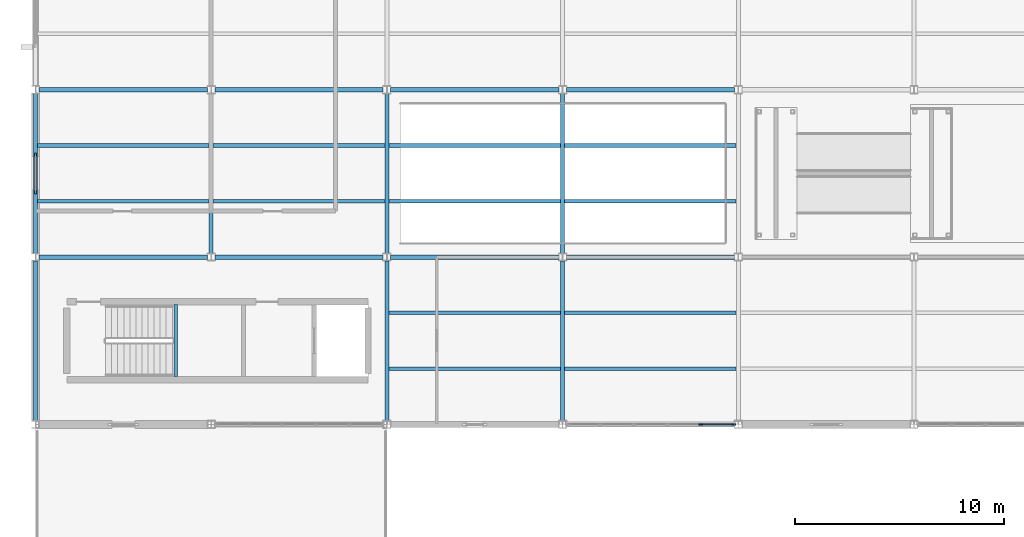
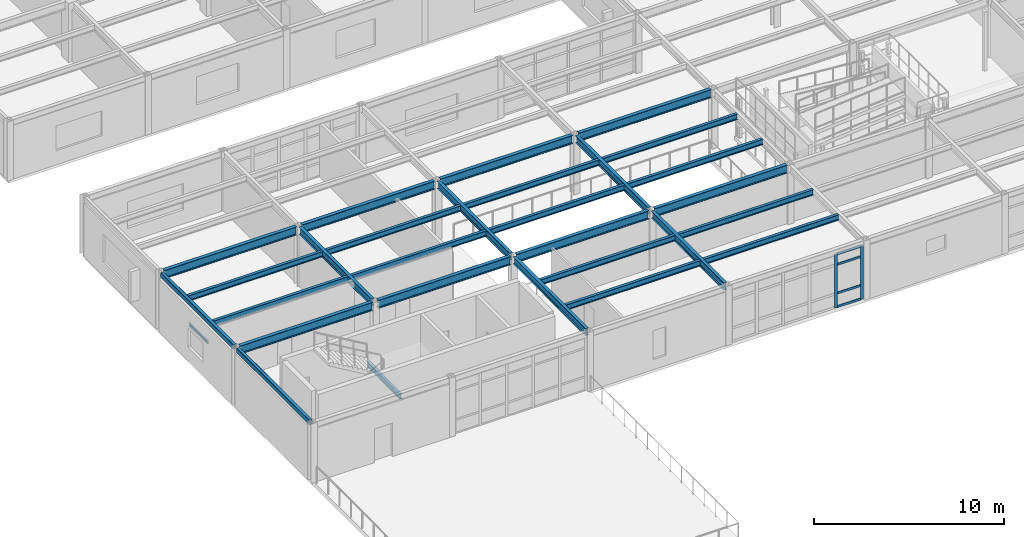
# One storey, part 20 of 138: 29 beams, 6 members, 1 element without a shape of its own.
"""IFC4 building model written with IfcOpenShell, lengths in metres."""

from ifc_helpers import new_model, si_unit, direction, frame, origin, origin_2d, place, context, subcontext, project, spatial, rectangle, hollow_rectangle, i_section, u_section, extrude, material, layer, layer_set, material_profile, profile_set, type_object, element, aggregate, save


model = new_model("IFC4")

# Units and contexts
model_context = context("Model", 3, precision=1e-05, world=origin(), true_north=direction((0.0, 1.0)))
body_context = subcontext(model_context, "Body", "Model", "MODEL_VIEW")
ifc_project = project(units=[si_unit("LENGTHUNIT", "METRE"), si_unit("AREAUNIT", "SQUARE_METRE"), si_unit("VOLUMEUNIT", "CUBIC_METRE"), si_unit("PLANEANGLEUNIT", "RADIAN"), si_unit("MASSUNIT", "GRAM", prefix="KILO")], contexts=[model_context])

# Site, building, storey
site_placement = place(None, origin())
site = spatial("IfcSite", under=ifc_project, at=site_placement, CompositionType="ELEMENT")
building_placement = place(site_placement, origin())
building = spatial("IfcBuilding", under=site, at=building_placement, Name="Kranzveld Transit Interchange", CompositionType="ELEMENT")
storey_placement = place(building_placement, frame((0.0, 0.0, 5.43994140625)))
storey = spatial("IfcBuildingStorey", under=building, at=storey_placement, Name="L01", CompositionType="ELEMENT", Elevation=5.43994140625)

# Beams
ifc_material_1 = material(Name="Steel S355JR", Category="steel")
ifc_material_profile_1 = material_profile(ifc_material_1, i_section(OverallWidth=0.19189453125, OverallDepth=0.46337890625, WebThickness=0.010498046875, FlangeThickness=0.017578125, FilletRadius=0.01025390625, at=origin_2d()), Name="UB 457x191x89")
ifc_profile_set_1 = profile_set([ifc_material_profile_1], Name="Steel S355JR")
beam_type_1 = type_object("IfcBeamType", Name="Beam Steel UB 457x191x89 S355JR", PredefinedType="BEAM", material=ifc_profile_set_1)
for number, where, z_axis, x_axis, name in (
    (1, (8.39990234375, 24.17724609375, 3.568359375), (0.0, 1.0, 0.0), (-1.0, 0.0, 0.0), "L01 Girder 02/D-E"),
    (2, (16.800048828125, 16.17724609375, 3.568359375), (0.0, 1.0, 0.0), (-1.0, 0.0, 0.0), "L01 Girder 03/C-D"),
    (3, (16.800048828125, 24.17724609375, 3.568359375), (0.0, 1.0, 0.0), (-1.0, 0.0, 0.0), "L01 Girder 03/D-E"),
    (4, (25.199951171875, 16.17724609375, 3.568359375), (0.0, 1.0, 0.0), (-1.0, 0.0, 0.0), "L01 Girder 04/C-D"),
    (5, (25.199951171875, 24.17724609375, 3.568359375), (0.0, 1.0, 0.0), (-1.0, 0.0, 0.0), "L01 Girder 04/D-E"),
):
    element("IfcBeam", number, at=place(storey_placement, frame(where, z_axis=z_axis, x_axis=x_axis)), inside=storey, type_object=beam_type_1, Name=name, PredefinedType="BEAM", context=body_context, shape_type="SweptSolid", body=[
        extrude(i_section(OverallWidth=0.19189453125, OverallDepth=0.46337890625, WebThickness=0.010498046875, FlangeThickness=0.017578125, FilletRadius=0.01025390625, at=origin_2d()), origin(), (0.0, 0.0, 1.0), 7.6455078125),
    ])

# Curtain wall, members
ifc_material_2 = material(Name="Bronze-anodised thermally broken aluminium", Category="aluminium")
ifc_layer = layer(ifc_material_2, 0.18505859375)
ifc_layer_set = layer_set([ifc_layer], Name="Bronze-anodised thermally broken aluminium")
curtain_wall_type = type_object("IfcCurtainWallType", Name="Control Crown Observation Facade CW-5", PredefinedType="USERDEFINED", material=ifc_layer_set)
curtain_wall_placement = place(storey_placement, origin())
curtain_wall = element("IfcCurtainWall", 6, at=curtain_wall_placement, inside=storey, type_object=curtain_wall_type, Name="L01 Curtain Wall 04/C-05/C", ObjectType="CURTAIN WALL", PredefinedType="USERDEFINED")
ifc_material_3 = material(Name="Bronze-anodised thermally broken aluminium", Category="aluminium")
ifc_material_profile_2 = material_profile(ifc_material_3, rectangle(XDim=0.06494140625, YDim=0.179931640625, at=origin_2d()), Name="ALU MULLION 65x180")
ifc_profile_set_2 = profile_set([ifc_material_profile_2], Name="Bronze-anodised thermally broken aluminium")
member_type_1 = type_object("IfcMemberType", Name="Curtain Wall Mullion 65x180 Alu", PredefinedType="MULLION", material=ifc_profile_set_2)
member_1_placement = place(storey_placement, frame((31.8076171875, 16.0, 0.0), z_axis=(0.0, 0.0, 1.0), x_axis=(0.0, 1.0, 0.0)))
member_1 = element("IfcMember", 7, at=member_1_placement, type_object=member_type_1, Name="CW-5 mullion 5", PredefinedType="MULLION", context=body_context, shape_type="SweptSolid", body=[
    extrude(rectangle(XDim=0.06494140625, YDim=0.179931640625, at=origin_2d()), origin(), (0.0, 0.0, 1.0), 3.449951171875),
])
member_2_placement = place(storey_placement, frame((33.380126953125, 16.0, 0.0), z_axis=(0.0, 0.0, 1.0), x_axis=(0.0, 1.0, 0.0)))
member_2 = element("IfcMember", 8, at=member_2_placement, type_object=member_type_1, Name="CW-5 mullion 6", PredefinedType="MULLION", context=body_context, shape_type="SweptSolid", body=[
    extrude(rectangle(XDim=0.06494140625, YDim=0.179931640625, at=origin_2d()), origin(), (0.0, 0.0, 1.0), 3.449951171875),
])
ifc_material_4 = material(Name="Bronze-anodised thermally broken aluminium", Category="aluminium")
ifc_material_profile_3 = material_profile(ifc_material_4, rectangle(XDim=0.06494140625, YDim=0.139892578125, at=origin_2d()), Name="ALU TRANSOM 65x140")
ifc_profile_set_3 = profile_set([ifc_material_profile_3], Name="Bronze-anodised thermally broken aluminium")
member_type_2 = type_object("IfcMemberType", Name="Curtain Wall Transom 65x140 Alu", PredefinedType="USERDEFINED", material=ifc_profile_set_3)
member_3_placement = place(storey_placement, frame((31.840087890625, 16.0, 0.032470703125), z_axis=(1.0, 0.0, 0.0), x_axis=(0.0, 1.0, 0.0)))
member_3 = element("IfcMember", 9, at=member_3_placement, type_object=member_type_2, Name="CW-5 transom 5.1", ObjectType="TRANSOM", PredefinedType="USERDEFINED", context=body_context, shape_type="SweptSolid", body=[
    extrude(rectangle(XDim=0.06494140625, YDim=0.139892578125, at=origin_2d()), origin(), (0.0, 0.0, 1.0), 1.507568359375),
])
member_4_placement = place(storey_placement, frame((31.840087890625, 16.0, 0.900146484375), z_axis=(1.0, 0.0, 0.0), x_axis=(0.0, 1.0, 0.0)))
member_4 = element("IfcMember", 10, at=member_4_placement, type_object=member_type_2, Name="CW-5 transom 5.2", ObjectType="TRANSOM", PredefinedType="USERDEFINED", context=body_context, shape_type="SweptSolid", body=[
    extrude(rectangle(XDim=0.06494140625, YDim=0.139892578125, at=origin_2d()), origin(), (0.0, 0.0, 1.0), 1.507568359375),
])
member_5_placement = place(storey_placement, frame((31.840087890625, 16.0, 2.75), z_axis=(1.0, 0.0, 0.0), x_axis=(0.0, 1.0, 0.0)))
member_5 = element("IfcMember", 11, at=member_5_placement, type_object=member_type_2, Name="CW-5 transom 5.3", ObjectType="TRANSOM", PredefinedType="USERDEFINED", context=body_context, shape_type="SweptSolid", body=[
    extrude(rectangle(XDim=0.06494140625, YDim=0.139892578125, at=origin_2d()), origin(), (0.0, 0.0, 1.0), 1.507568359375),
])
member_6_placement = place(storey_placement, frame((31.840087890625, 16.0, 3.41748046875), z_axis=(1.0, 0.0, 0.0), x_axis=(0.0, 1.0, 0.0)))
member_6 = element("IfcMember", 12, at=member_6_placement, type_object=member_type_2, Name="CW-5 transom 5.4", ObjectType="TRANSOM", PredefinedType="USERDEFINED", context=body_context, shape_type="SweptSolid", body=[
    extrude(rectangle(XDim=0.06494140625, YDim=0.139892578125, at=origin_2d()), origin(), (0.0, 0.0, 1.0), 1.507568359375),
])
aggregate(curtain_wall, [member_1, member_2, member_3, member_4, member_5, member_6])

# Beams
ifc_material_5 = material(Name="Steel S355JR", Category="steel")
ifc_material_profile_4 = material_profile(ifc_material_5, hollow_rectangle(XDim=0.199951171875, YDim=0.300048828125, WallThickness=0.010009765625, InnerFilletRadius=0.014892578125, OuterFilletRadius=0.02490234375, at=origin_2d()), Name="RHS 300x200x10")
ifc_profile_set_4 = profile_set([ifc_material_profile_4], Name="Steel S355JR")
beam_type_2 = type_object("IfcBeamType", Name="Edge Spandrel RHS 300x200x10 S355JR", PredefinedType="SPANDREL", material=ifc_profile_set_4)
for number, where, z_axis, x_axis, name in (
    (13, (0.0, 16.17724609375, 3.650146484375), (0.0, 1.0, 0.0), (-1.0, 0.0, 0.0), "L01 Girder 01/C-D"),
    (14, (0.0, 24.17724609375, 3.650146484375), (0.0, 1.0, 0.0), (-1.0, 0.0, 0.0), "L01 Girder 01/D-E"),
):
    element("IfcBeam", number, at=place(storey_placement, frame(where, z_axis=z_axis, x_axis=x_axis)), inside=storey, type_object=beam_type_2, Name=name, PredefinedType="SPANDREL", context=body_context, shape_type="SweptSolid", body=[
        extrude(hollow_rectangle(XDim=0.199951171875, YDim=0.300048828125, WallThickness=0.010009765625, InnerFilletRadius=0.014892578125, OuterFilletRadius=0.02490234375, at=origin_2d()), origin(), (0.0, 0.0, 1.0), 7.6455078125),
    ])
ifc_material_6 = material(Name="Steel S355JR", Category="steel")
ifc_material_profile_5 = material_profile(ifc_material_6, i_section(OverallWidth=0.172119140625, OverallDepth=0.35791015625, WebThickness=0.008056640625, FlangeThickness=0.012939453125, FilletRadius=0.01025390625, at=origin_2d()), Name="UB 356x171x57")
ifc_profile_set_5 = profile_set([ifc_material_profile_5], Name="Steel S355JR")
beam_type_3 = type_object("IfcBeamType", Name="Floor Joist UB 356x171x57 S355JR", PredefinedType="JOIST", material=ifc_profile_set_5)
for number, where, z_axis, x_axis, name in (
    (15, (0.10205078125, 26.666748046875, 3.62109375), (1.0, 0.0, 0.0), (0.0, 1.0, 0.0), "L01 Secondary Joist 01-02/D.1"),
    (16, (0.10205078125, 29.333251953125, 3.62109375), (1.0, 0.0, 0.0), (0.0, 1.0, 0.0), "L01 Secondary Joist 01-02/D.2"),
):
    element("IfcBeam", number, at=place(storey_placement, frame(where, z_axis=z_axis, x_axis=x_axis)), inside=storey, type_object=beam_type_3, Name=name, PredefinedType="JOIST", context=body_context, shape_type="SweptSolid", body=[
        extrude(i_section(OverallWidth=0.172119140625, OverallDepth=0.35791015625, WebThickness=0.008056640625, FlangeThickness=0.012939453125, FilletRadius=0.01025390625, at=origin_2d()), origin(), (0.0, 0.0, 1.0), 8.199951171875),
    ])
for number, where, z_axis, x_axis, name in (
    (17, (8.498046875, 26.666748046875, 3.62109375), (1.0, 0.0, 0.0), (0.0, 1.0, 0.0), "L01 Secondary Joist 02-03/D.1"),
    (18, (8.498046875, 29.333251953125, 3.62109375), (1.0, 0.0, 0.0), (0.0, 1.0, 0.0), "L01 Secondary Joist 02-03/D.2"),
    (19, (16.89794921875, 18.666748046875, 3.62109375), (1.0, 0.0, 0.0), (0.0, 1.0, 0.0), "L01 Secondary Joist 03-04/C.1"),
    (20, (16.89794921875, 21.333251953125, 3.62109375), (1.0, 0.0, 0.0), (0.0, 1.0, 0.0), "L01 Secondary Joist 03-04/C.2"),
    (21, (16.89794921875, 26.666748046875, 3.62109375), (1.0, 0.0, 0.0), (0.0, 1.0, 0.0), "L01 Secondary Joist 03-04/D.1"),
    (22, (16.89794921875, 29.333251953125, 3.62109375), (1.0, 0.0, 0.0), (0.0, 1.0, 0.0), "L01 Secondary Joist 03-04/D.2"),
    (23, (25.2978515625, 18.666748046875, 3.62109375), (1.0, 0.0, 0.0), (0.0, 1.0, 0.0), "L01 Secondary Joist 04-05/C.1"),
    (24, (25.2978515625, 21.333251953125, 3.62109375), (1.0, 0.0, 0.0), (0.0, 1.0, 0.0), "L01 Secondary Joist 04-05/C.2"),
    (25, (25.2978515625, 26.666748046875, 3.62109375), (1.0, 0.0, 0.0), (0.0, 1.0, 0.0), "L01 Secondary Joist 04-05/D.1"),
    (26, (25.2978515625, 29.333251953125, 3.62109375), (1.0, 0.0, 0.0), (0.0, 1.0, 0.0), "L01 Secondary Joist 04-05/D.2"),
):
    element("IfcBeam", number, at=place(storey_placement, frame(where, z_axis=z_axis, x_axis=x_axis)), inside=storey, type_object=beam_type_3, Name=name, PredefinedType="JOIST", context=body_context, shape_type="SweptSolid", body=[
        extrude(i_section(OverallWidth=0.172119140625, OverallDepth=0.35791015625, WebThickness=0.008056640625, FlangeThickness=0.012939453125, FilletRadius=0.01025390625, at=origin_2d()), origin(), (0.0, 0.0, 1.0), 8.2041015625),
    ])
ifc_material_7 = material(Name="Steel S355JR", Category="steel")
ifc_material_profile_6 = material_profile(ifc_material_7, i_section(OverallWidth=0.210693359375, OverallDepth=0.53955078125, WebThickness=0.01171875, FlangeThickness=0.018798828125, FilletRadius=0.0126953125, at=origin_2d()), Name="UB 533x210x109")
ifc_profile_set_6 = profile_set([ifc_material_profile_6], Name="Steel S355JR")
beam_type_4 = type_object("IfcBeamType", Name="Girder Steel UB 533x210x109 S355JR", PredefinedType="BEAM", material=ifc_profile_set_6)
for number, where, z_axis, x_axis, name in (
    (27, (0.17724609375, 24.0, 3.5302734375), (1.0, 0.0, 0.0), (0.0, 1.0, 0.0), "L01 Girder 01-02/D"),
    (28, (8.577392578125, 24.0, 3.5302734375), (1.0, 0.0, 0.0), (0.0, 1.0, 0.0), "L01 Girder 02-03/D"),
    (29, (16.977294921875, 24.0, 3.5302734375), (1.0, 0.0, 0.0), (0.0, 1.0, 0.0), "L01 Girder 03-04/D"),
    (30, (25.377197265625, 24.0, 3.5302734375), (1.0, 0.0, 0.0), (0.0, 1.0, 0.0), "L01 Girder 04-05/D"),
    (31, (0.17724609375, 32.0, 3.5302734375), (1.0, 0.0, 0.0), (0.0, 1.0, 0.0), "L01 Girder 01-02/E"),
    (32, (8.577392578125, 32.0, 3.5302734375), (1.0, 0.0, 0.0), (0.0, 1.0, 0.0), "L01 Girder 02-03/E"),
    (33, (16.977294921875, 32.0, 3.5302734375), (1.0, 0.0, 0.0), (0.0, 1.0, 0.0), "L01 Girder 03-04/E"),
    (34, (25.377197265625, 32.0, 3.5302734375), (1.0, 0.0, 0.0), (0.0, 1.0, 0.0), "L01 Girder 04-05/E"),
):
    element("IfcBeam", number, at=place(storey_placement, frame(where, z_axis=z_axis, x_axis=x_axis)), inside=storey, type_object=beam_type_4, Name=name, PredefinedType="BEAM", context=body_context, shape_type="SweptSolid", body=[
        extrude(i_section(OverallWidth=0.210693359375, OverallDepth=0.53955078125, WebThickness=0.01171875, FlangeThickness=0.018798828125, FilletRadius=0.0126953125, at=origin_2d()), origin(), (0.0, 0.0, 1.0), 8.04541015625),
    ])
ifc_material_8 = material(Name="Steel S355JR", Category="steel")
ifc_material_profile_7 = material_profile(ifc_material_8, u_section(Depth=0.199951171875, FlangeWidth=0.074951171875, WebThickness=0.006103515625, FlangeThickness=0.012451171875, FilletRadius=0.011962890625, at=origin_2d()), Name="PFC 200x75x23")
ifc_profile_set_7 = profile_set([ifc_material_profile_7], Name="Steel S355JR")
beam_type_5 = type_object("IfcBeamType", Name="Masonry Lintel PFC 200x75x23 S355JR", PredefinedType="LINTEL", material=ifc_profile_set_7)
beam_1_placement = place(storey_placement, frame((0.0, 27.02001953125, 2.205078125), z_axis=(0.0, 1.0, 0.0), x_axis=(-1.0, 0.0, 0.0)))
element("IfcBeam", 35, at=beam_1_placement, inside=storey, type_object=beam_type_5, Name="L01 Window Lintel 060", PredefinedType="LINTEL", context=body_context, shape_type="SweptSolid", body=[
    extrude(u_section(Depth=0.199951171875, FlangeWidth=0.074951171875, WebThickness=0.006103515625, FlangeThickness=0.012451171875, FilletRadius=0.011962890625, at=origin_2d()), origin(), (0.0, 0.0, 1.0), 1.9599609375),
])
ifc_material_9 = material(Name="Steel S355JR", Category="steel")
ifc_material_profile_8 = material_profile(ifc_material_9, i_section(OverallWidth=0.165771484375, OverallDepth=0.306640625, WebThickness=0.006591796875, FlangeThickness=0.01171875, FilletRadius=0.0087890625, at=origin_2d()), Name="UB 305x165x46")
ifc_profile_set_8 = profile_set([ifc_material_profile_8], Name="Steel S355JR")
beam_type_6 = type_object("IfcBeamType", Name="Roof Joist UB 305x165x46 S355JR", PredefinedType="JOIST", material=ifc_profile_set_8)
beam_2_placement = place(storey_placement, frame((6.699951171875, 18.280029296875, 1.686767578125), z_axis=(0.0, 1.0, 0.0), x_axis=(-1.0, 0.0, 0.0)))
element("IfcBeam", 36, at=beam_2_placement, inside=storey, type_object=beam_type_6, Name="L01 ST-CY1 Half-Landing Support Beam", PredefinedType="BEAM", context=body_context, shape_type="SweptSolid", body=[
    extrude(i_section(OverallWidth=0.165771484375, OverallDepth=0.306640625, WebThickness=0.006591796875, FlangeThickness=0.01171875, FilletRadius=0.0087890625, at=origin_2d()), origin(), (0.0, 0.0, 1.0), 3.43994140625),
])

save(model, "model.ifc")
